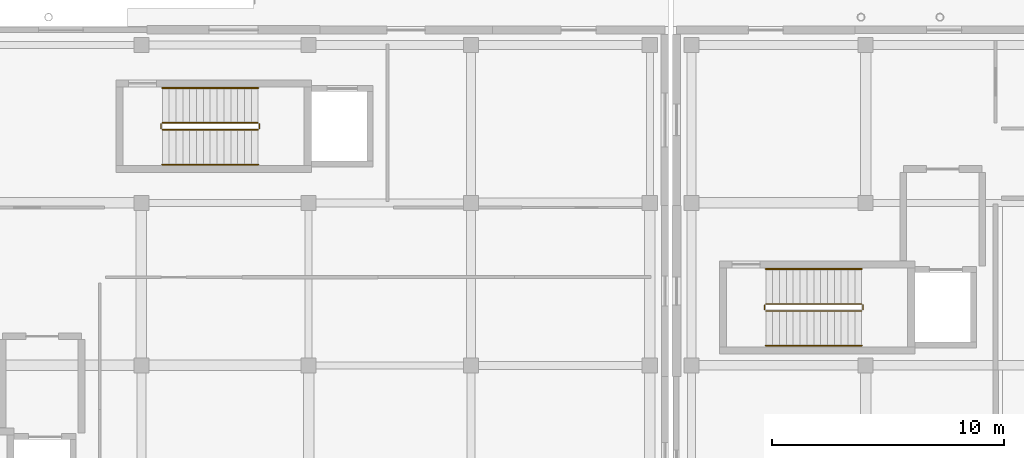
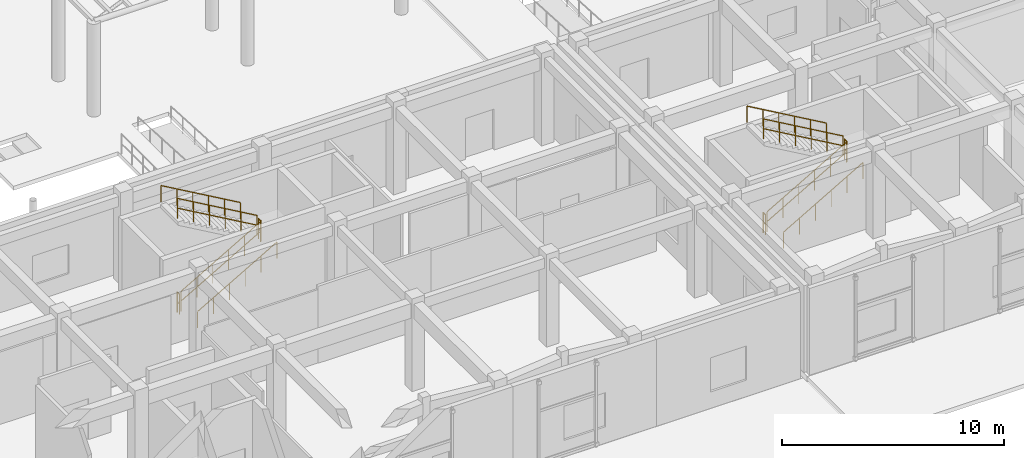
# One storey, part 112 of 121: 12 railings.
"""IFC4 building model written with IfcOpenShell, lengths in metres."""

import ifcopenshell
import ifcopenshell.guid

model = None  # the IFC model being written
_history = None  # IfcOwnerHistory: only IFC2X3 demands one
_inside = {}  # id of a spatial element -> (the spatial element, [elements in it])
_under = {}  # id of a project, library or spatial element -> (it, [spatial elements below it])
_declared = {}  # id of a project -> (the project, [libraries it declares])
_typed = {}  # id of a type object -> (the type object, [elements of that type])
_made_of = {}  # id of a material, layer set ... -> (it, [elements and type objects made of it])


def new_model(schema):
    """Start an empty IFC model of exactly this schema.

    Asked for "IFC4X3", IfcOpenShell would pick the latest addendum, in which some entities
    have other attributes; the version numbers below select the first issue.
    IFC2X3 requires an IfcOwnerHistory on every rooted entity: one is made here for all.
    """
    global model, _history
    if schema == "IFC4X3":
        model = ifcopenshell.file(schema_version=(4, 3, 0, 0))
    else:
        model = ifcopenshell.file(schema=schema)
    _inside.clear()
    _under.clear()
    _declared.clear()
    _typed.clear()
    _made_of.clear()
    _history = None
    if model.schema == "IFC2X3":
        org = make("IfcOrganization", Name="unknown")
        user = make(
            "IfcPersonAndOrganization",
            ThePerson=make("IfcPerson", FamilyName="unknown"),
            TheOrganization=org,
        )
        app = make(
            "IfcApplication",
            ApplicationDeveloper=org,
            Version="unknown",
            ApplicationFullName="unknown",
            ApplicationIdentifier="unknown",
        )
        _history = make(
            "IfcOwnerHistory",
            OwningUser=user,
            OwningApplication=app,
            ChangeAction="ADDED",
            CreationDate=0,
        )
    return model


def make(cls, **values):
    """One entity of the class cls with the attributes given. An attribute that is None is left unset."""
    return model.create_entity(
        cls, **{name: value for name, value in values.items() if value is not None}
    )


def rooted(cls, **values):
    """An entity with a GlobalId (a new one), such as an element, a storey or a relation."""
    return make(cls, GlobalId=ifcopenshell.guid.new(), OwnerHistory=_history, **values)


def si_unit(unit_type, name, prefix=None):
    """IfcSIUnit, for example si_unit("LENGTHUNIT", "METRE", prefix="MILLI")."""
    return make("IfcSIUnit", UnitType=unit_type, Prefix=prefix, Name=name)


def assignment(units):
    """IfcUnitAssignment: the units of a project."""
    return None if units is None else make("IfcUnitAssignment", Units=units)


def point(xyz):
    """IfcCartesianPoint."""
    return None if xyz is None else make("IfcCartesianPoint", Coordinates=xyz)


def direction(xyz):
    """IfcDirection."""
    return None if xyz is None else make("IfcDirection", DirectionRatios=xyz)


def frame(location, z_axis=None, x_axis=None):
    """IfcAxis2Placement3D, a coordinate frame: its origin and axes. An axis left out is left unset."""
    return make(
        "IfcAxis2Placement3D",
        Location=point(location),
        Axis=direction(z_axis),
        RefDirection=direction(x_axis),
    )


def frame_2d(location, x_axis=None):
    """IfcAxis2Placement2D, a coordinate frame in the plane: its origin and x axis."""
    return make(
        "IfcAxis2Placement2D", Location=point(location), RefDirection=direction(x_axis)
    )


def origin():
    """The frame at (0, 0, 0) with its axes left unset."""
    return frame((0.0, 0.0, 0.0))


def origin_2d():
    """The frame at (0, 0) in the plane with its x axis left unset."""
    return frame_2d((0.0, 0.0))


def place(relative_to, where):
    """IfcLocalPlacement: puts the frame where relative to a parent placement (None: the world)."""
    return make(
        "IfcLocalPlacement", PlacementRelTo=relative_to, RelativePlacement=where
    )


def context(
    kind, dimensions, precision=None, world=None, true_north=None, identifier=None
):
    """IfcGeometricRepresentationContext, for example the 3D "Model" context."""
    return make(
        "IfcGeometricRepresentationContext",
        ContextIdentifier=identifier,
        ContextType=kind,
        CoordinateSpaceDimension=dimensions,
        Precision=precision,
        WorldCoordinateSystem=world,
        TrueNorth=true_north,
    )


def subcontext(parent, identifier, kind, view, scale=None):
    """IfcGeometricRepresentationSubContext, for example "Body" below "Model"."""
    return make(
        "IfcGeometricRepresentationSubContext",
        ContextIdentifier=identifier,
        ContextType=kind,
        ParentContext=parent,
        TargetScale=scale,
        TargetView=view,
    )


def project(units=None, contexts=None):
    """IfcProject with its units and contexts."""
    return rooted(
        "IfcProject",
        Name="project",
        RepresentationContexts=contexts,
        UnitsInContext=assignment(units),
    )


def spatial(cls, under=None, at=None, **own):
    """A site, building, storey or space (cls), placed at a placement, below another one or the project."""
    s = rooted(cls, ObjectPlacement=at, **own)
    if under is not None:
        _under.setdefault(under.id(), (under, []))[1].append(s)
    return s


def profile(cls, at=None, kind="AREA", **sizes):
    """A parametric profile (cls). Its sizes go by their IFC names, for example OverallWidth=200.0."""
    return make(cls, ProfileType=kind, Position=at, **sizes)


def circle(**sizes):
    """IfcCircleProfileDef."""
    return profile("IfcCircleProfileDef", **sizes)


def extrude(swept, where, along, depth):
    """IfcExtrudedAreaSolid: the profile swept, set in the frame where, extruded along a direction by depth."""
    return make(
        "IfcExtrudedAreaSolid",
        SweptArea=swept,
        Position=where,
        ExtrudedDirection=direction(along),
        Depth=depth,
    )


def shape(context_of_items, identifier, shape_type, items):
    """IfcShapeRepresentation: the items that make up one representation, for example the "Body"."""
    return make(
        "IfcShapeRepresentation",
        ContextOfItems=context_of_items,
        RepresentationIdentifier=identifier,
        RepresentationType=shape_type,
        Items=items,
    )


def material(Name=None, Category=None):
    """IfcMaterial."""
    return make("IfcMaterial", Name=Name, Category=Category)


def made_of(thing, what):
    """Note that an element or type object is made of a material, layer set ...; save() writes the relation."""
    if what is not None:
        _made_of.setdefault(what.id(), (what, []))[1].append(thing)
    return thing


def type_object(cls, material=None, **own):
    """A type object (cls), such as IfcWallType, which elements share."""
    return made_of(rooted(cls, **own), material)


def element(
    cls,
    number,
    at=None,
    inside=None,
    cuts=None,
    type_object=None,
    material=None,
    context=None,
    identifier="Body",
    shape_type=None,
    held_by="IfcProductDefinitionShape",
    body=None,
    shapes=None,
    **own,
):
    """One element of the class cls, such as IfcWall. Its Tag is "e" and its number.

    at: its placement. inside: the storey or other place that contains it. cuts: it is an
    opening in that element (IfcRelVoidsElement). A single representation is given by context,
    identifier, shape_type and body (its items); several are given by shapes. held_by: the class
    of the entity that holds the representations. save() writes the other relations.
    """
    e = rooted(cls, Tag="e%d" % number, ObjectPlacement=at, **own)
    if body is not None:
        shapes = [shape(context, identifier, shape_type, body)]
    if shapes is not None:
        e.Representation = make(held_by, Representations=shapes)
    if inside is not None:
        _inside.setdefault(inside.id(), (inside, []))[1].append(e)
    if cuts is not None:
        rooted(
            "IfcRelVoidsElement", RelatingBuildingElement=cuts, RelatedOpeningElement=e
        )
    if type_object is not None:
        _typed.setdefault(type_object.id(), (type_object, []))[1].append(e)
    return made_of(e, material)


def aggregate(whole, parts):
    """IfcRelAggregates: a whole, such as a stair, and the parts it consists of."""
    return rooted("IfcRelAggregates", RelatingObject=whole, RelatedObjects=parts)


def save(model, path):
    """Write the relations noted so far, then the file.

    IfcRelAggregates (storeys below a building ...), IfcRelContainedInSpatialStructure (elements
    in a storey), IfcRelDefinesByType, IfcRelAssociatesMaterial and IfcRelDeclares: one each for
    every whole, place, type object, material and project.
    """
    for whole, parts in _under.values():
        aggregate(whole, parts)
    for where, things in _inside.values():
        rooted(
            "IfcRelContainedInSpatialStructure",
            RelatedElements=things,
            RelatingStructure=where,
        )
    for kind, things in _typed.values():
        rooted("IfcRelDefinesByType", RelatedObjects=things, RelatingType=kind)
    for what, things in _made_of.values():
        rooted("IfcRelAssociatesMaterial", RelatedObjects=things, RelatingMaterial=what)
    for by, libraries in _declared.values():
        rooted("IfcRelDeclares", RelatingContext=by, RelatedDefinitions=libraries)
    model.write(path)


model = new_model("IFC4")

# Units and contexts
model_context = context("Model", 3, precision=1e-05, world=origin(), true_north=direction((0.0, 1.0)))
body_context = subcontext(model_context, "Body", "Model", "MODEL_VIEW")
ifc_project = project(units=[si_unit("LENGTHUNIT", "METRE"), si_unit("AREAUNIT", "SQUARE_METRE"), si_unit("VOLUMEUNIT", "CUBIC_METRE"), si_unit("PLANEANGLEUNIT", "RADIAN"), si_unit("MASSUNIT", "GRAM", prefix="KILO")], contexts=[model_context])

# Site, building, storey
site_placement = place(None, origin())
site = spatial("IfcSite", under=ifc_project, at=site_placement, CompositionType="ELEMENT")
building_placement = place(site_placement, origin())
building = spatial("IfcBuilding", under=site, at=building_placement, Name="Valcora Specialist Clinic", CompositionType="ELEMENT")
storey_placement = place(building_placement, origin())
storey = spatial("IfcBuildingStorey", under=building, at=storey_placement, Name="L00", CompositionType="ELEMENT", Elevation=0.0)

# Railings
ifc_material = material(Name="Stainless Steel AISI 316", Category="steel")
railing_type_1 = type_object("IfcRailingType", Name="TY-RL-GRD112", PredefinedType="GUARDRAIL", material=ifc_material)
railing_1_placement = place(storey_placement, frame((31.5, 18.35009765625, 0.169921875)))
element("IfcRailing", 1, at=railing_1_placement, inside=storey, type_object=railing_type_1, Name="L00 ST-V5B stair guard 1", PredefinedType="GUARDRAIL", context=body_context, shape_type="SweptSolid", body=[
    extrude(circle(Radius=0.02392578125, at=origin_2d()), frame((0.0, 0.0, 1.09619140625), z_axis=(0.866412313535, 0.0, 0.499329253053), x_axis=(0.0, 1.0, 0.0)), (0.0, 0.0, 1.0), 4.7666015625),
    extrude(circle(Radius=0.02392578125, at=origin_2d()), frame((0.0, 0.0, 0.56005859375), z_axis=(0.866412313535, 0.0, 0.499329253053), x_axis=(0.0, 1.0, 0.0)), (0.0, 0.0, 1.0), 4.7666015625),
    extrude(circle(Radius=0.02099609375, at=origin_2d()), origin(), (0.0, 0.0, 1.0), 1.072021484375),
    extrude(circle(Radius=0.02099609375, at=origin_2d()), frame((0.825927734375, 0.0, 0.47607421875)), (0.0, 0.0, 1.0), 1.072021484375),
    extrude(circle(Radius=0.02099609375, at=origin_2d()), frame((1.65185546875, 0.0, 0.9521484375)), (0.0, 0.0, 1.0), 1.072021484375),
    extrude(circle(Radius=0.02099609375, at=origin_2d()), frame((2.47802734375, 0.0, 1.427978515625)), (0.0, 0.0, 1.0), 1.072021484375),
    extrude(circle(Radius=0.02099609375, at=origin_2d()), frame((3.303955078125, 0.0, 1.904052734375)), (0.0, 0.0, 1.0), 1.072021484375),
    extrude(circle(Radius=0.02099609375, at=origin_2d()), frame((4.1298828125, 0.0, 2.380126953125)), (0.0, 0.0, 1.0), 1.072021484375),
])
railing_2_placement = place(storey_placement, frame((35.679931640625, 18.39990234375, 2.550048828125)))
element("IfcRailing", 2, at=railing_2_placement, inside=storey, type_object=railing_type_1, Name="L00 ST-V5B stair guard 2", PredefinedType="GUARDRAIL", context=body_context, shape_type="SweptSolid", body=[
    extrude(circle(Radius=0.02392578125, at=origin_2d()), frame((0.0, 0.0, 1.09619140625), z_axis=(0.0, 1.0, 0.0), x_axis=(-1.0, 0.0, 0.0)), (0.0, 0.0, 1.0), 0.2001953125),
    extrude(circle(Radius=0.02392578125, at=origin_2d()), frame((0.0, 0.0, 0.56005859375), z_axis=(0.0, 1.0, 0.0), x_axis=(-1.0, 0.0, 0.0)), (0.0, 0.0, 1.0), 0.2001953125),
    extrude(circle(Radius=0.02099609375, at=origin_2d()), origin(), (0.0, 0.0, 1.0), 1.072021484375),
    extrude(circle(Radius=0.02099609375, at=origin_2d()), frame((0.0, 0.2001953125, 0.0)), (0.0, 0.0, 1.0), 1.072021484375),
])
railing_3_placement = place(storey_placement, frame((35.6298828125, 18.64990234375, 2.719970703125)))
element("IfcRailing", 3, at=railing_3_placement, inside=storey, type_object=railing_type_1, Name="L00 ST-V5B stair guard 3", PredefinedType="GUARDRAIL", context=body_context, shape_type="SweptSolid", body=[
    extrude(circle(Radius=0.02392578125, at=origin_2d()), frame((0.0, 0.0, 1.09619140625), z_axis=(-0.866412313535, 0.0, 0.499329253053), x_axis=(0.0, -1.0, 0.0)), (0.0, 0.0, 1.0), 4.7666015625),
    extrude(circle(Radius=0.02392578125, at=origin_2d()), frame((0.0, 0.0, 0.56005859375), z_axis=(-0.866412313535, 0.0, 0.499329253053), x_axis=(0.0, -1.0, 0.0)), (0.0, 0.0, 1.0), 4.7666015625),
    extrude(circle(Radius=0.02099609375, at=origin_2d()), origin(), (0.0, 0.0, 1.0), 1.072021484375),
    extrude(circle(Radius=0.02099609375, at=origin_2d()), frame((-0.825927734375, 0.0, 0.47607421875)), (0.0, 0.0, 1.0), 1.072021484375),
    extrude(circle(Radius=0.02099609375, at=origin_2d()), frame((-1.65185546875, 0.0, 0.9521484375)), (0.0, 0.0, 1.0), 1.072021484375),
    extrude(circle(Radius=0.02099609375, at=origin_2d()), frame((-2.47802734375, 0.0, 1.427978515625)), (0.0, 0.0, 1.0), 1.072021484375),
    extrude(circle(Radius=0.02099609375, at=origin_2d()), frame((-3.303955078125, 0.0, 1.904052734375)), (0.0, 0.0, 1.0), 1.072021484375),
    extrude(circle(Radius=0.02099609375, at=origin_2d()), frame((-4.1298828125, 0.0, 2.380126953125)), (0.0, 0.0, 1.0), 1.072021484375),
])
railing_4_placement = place(storey_placement, frame((31.449951171875, 18.39990234375, 0.0)))
element("IfcRailing", 4, at=railing_4_placement, inside=storey, type_object=railing_type_1, Name="L00 ST-V5B stair guard 4", PredefinedType="GUARDRAIL", context=body_context, shape_type="SweptSolid", body=[
    extrude(circle(Radius=0.02392578125, at=origin_2d()), frame((0.0, 0.0, 1.09619140625), z_axis=(0.0, 1.0, 0.0), x_axis=(-1.0, 0.0, 0.0)), (0.0, 0.0, 1.0), 0.2001953125),
    extrude(circle(Radius=0.02392578125, at=origin_2d()), frame((0.0, 0.0, 0.56005859375), z_axis=(0.0, 1.0, 0.0), x_axis=(-1.0, 0.0, 0.0)), (0.0, 0.0, 1.0), 0.2001953125),
    extrude(circle(Radius=0.02099609375, at=origin_2d()), origin(), (0.0, 0.0, 1.0), 1.072021484375),
    extrude(circle(Radius=0.02099609375, at=origin_2d()), frame((0.0, 0.2001953125, 0.0)), (0.0, 0.0, 1.0), 1.072021484375),
])
railing_5_placement = place(storey_placement, frame((57.5, 10.550048828125, 0.169921875)))
element("IfcRailing", 5, at=railing_5_placement, inside=storey, type_object=railing_type_1, Name="L00 ST-V6A stair guard 1", PredefinedType="GUARDRAIL", context=body_context, shape_type="SweptSolid", body=[
    extrude(circle(Radius=0.02392578125, at=origin_2d()), frame((0.0, 0.0, 1.09619140625), z_axis=(0.866412313535, 0.0, 0.499329253053), x_axis=(0.0, 1.0, 0.0)), (0.0, 0.0, 1.0), 4.7666015625),
    extrude(circle(Radius=0.02392578125, at=origin_2d()), frame((0.0, 0.0, 0.56005859375), z_axis=(0.866412313535, 0.0, 0.499329253053), x_axis=(0.0, 1.0, 0.0)), (0.0, 0.0, 1.0), 4.7666015625),
    extrude(circle(Radius=0.02099609375, at=origin_2d()), origin(), (0.0, 0.0, 1.0), 1.072021484375),
    extrude(circle(Radius=0.02099609375, at=origin_2d()), frame((0.825927734375, 0.0, 0.47607421875)), (0.0, 0.0, 1.0), 1.072021484375),
    extrude(circle(Radius=0.02099609375, at=origin_2d()), frame((1.65185546875, 0.0, 0.9521484375)), (0.0, 0.0, 1.0), 1.072021484375),
    extrude(circle(Radius=0.02099609375, at=origin_2d()), frame((2.47802734375, 0.0, 1.427978515625)), (0.0, 0.0, 1.0), 1.072021484375),
    extrude(circle(Radius=0.02099609375, at=origin_2d()), frame((3.303955078125, 0.0, 1.904052734375)), (0.0, 0.0, 1.0), 1.072021484375),
    extrude(circle(Radius=0.02099609375, at=origin_2d()), frame((4.1298828125, 0.0, 2.380126953125)), (0.0, 0.0, 1.0), 1.072021484375),
])
railing_6_placement = place(storey_placement, frame((61.679931640625, 10.60009765625, 2.550048828125)))
element("IfcRailing", 6, at=railing_6_placement, inside=storey, type_object=railing_type_1, Name="L00 ST-V6A stair guard 2", PredefinedType="GUARDRAIL", context=body_context, shape_type="SweptSolid", body=[
    extrude(circle(Radius=0.02392578125, at=origin_2d()), frame((0.0, 0.0, 1.09619140625), z_axis=(0.0, 1.0, 0.0), x_axis=(-1.0, 0.0, 0.0)), (0.0, 0.0, 1.0), 0.199951171875),
    extrude(circle(Radius=0.02392578125, at=origin_2d()), frame((0.0, 0.0, 0.56005859375), z_axis=(0.0, 1.0, 0.0), x_axis=(-1.0, 0.0, 0.0)), (0.0, 0.0, 1.0), 0.199951171875),
    extrude(circle(Radius=0.02099609375, at=origin_2d()), origin(), (0.0, 0.0, 1.0), 1.072021484375),
    extrude(circle(Radius=0.02099609375, at=origin_2d()), frame((0.0, 0.199951171875, 0.0)), (0.0, 0.0, 1.0), 1.072021484375),
])
railing_7_placement = place(storey_placement, frame((61.6298828125, 10.85009765625, 2.719970703125)))
element("IfcRailing", 7, at=railing_7_placement, inside=storey, type_object=railing_type_1, Name="L00 ST-V6A stair guard 3", PredefinedType="GUARDRAIL", context=body_context, shape_type="SweptSolid", body=[
    extrude(circle(Radius=0.02392578125, at=origin_2d()), frame((0.0, 0.0, 1.09619140625), z_axis=(-0.866412313535, 0.0, 0.499329253053), x_axis=(0.0, -1.0, 0.0)), (0.0, 0.0, 1.0), 4.7666015625),
    extrude(circle(Radius=0.02392578125, at=origin_2d()), frame((0.0, 0.0, 0.56005859375), z_axis=(-0.866412313535, 0.0, 0.499329253053), x_axis=(0.0, -1.0, 0.0)), (0.0, 0.0, 1.0), 4.7666015625),
    extrude(circle(Radius=0.02099609375, at=origin_2d()), origin(), (0.0, 0.0, 1.0), 1.072021484375),
    extrude(circle(Radius=0.02099609375, at=origin_2d()), frame((-0.825927734375, 0.0, 0.47607421875)), (0.0, 0.0, 1.0), 1.072021484375),
    extrude(circle(Radius=0.02099609375, at=origin_2d()), frame((-1.65185546875, 0.0, 0.9521484375)), (0.0, 0.0, 1.0), 1.072021484375),
    extrude(circle(Radius=0.02099609375, at=origin_2d()), frame((-2.47802734375, 0.0, 1.427978515625)), (0.0, 0.0, 1.0), 1.072021484375),
    extrude(circle(Radius=0.02099609375, at=origin_2d()), frame((-3.303955078125, 0.0, 1.904052734375)), (0.0, 0.0, 1.0), 1.072021484375),
    extrude(circle(Radius=0.02099609375, at=origin_2d()), frame((-4.1298828125, 0.0, 2.380126953125)), (0.0, 0.0, 1.0), 1.072021484375),
])
railing_8_placement = place(storey_placement, frame((57.449951171875, 10.60009765625, 0.0)))
element("IfcRailing", 8, at=railing_8_placement, inside=storey, type_object=railing_type_1, Name="L00 ST-V6A stair guard 4", PredefinedType="GUARDRAIL", context=body_context, shape_type="SweptSolid", body=[
    extrude(circle(Radius=0.02392578125, at=origin_2d()), frame((0.0, 0.0, 1.09619140625), z_axis=(0.0, 1.0, 0.0), x_axis=(-1.0, 0.0, 0.0)), (0.0, 0.0, 1.0), 0.199951171875),
    extrude(circle(Radius=0.02392578125, at=origin_2d()), frame((0.0, 0.0, 0.56005859375), z_axis=(0.0, 1.0, 0.0), x_axis=(-1.0, 0.0, 0.0)), (0.0, 0.0, 1.0), 0.199951171875),
    extrude(circle(Radius=0.02099609375, at=origin_2d()), origin(), (0.0, 0.0, 1.0), 1.072021484375),
    extrude(circle(Radius=0.02099609375, at=origin_2d()), frame((0.0, 0.199951171875, 0.0)), (0.0, 0.0, 1.0), 1.072021484375),
])
railing_type_2 = type_object("IfcRailingType", Name="TY-RL-HND092", PredefinedType="HANDRAIL", material=ifc_material)
railing_9_placement = place(storey_placement, frame((31.5, 16.85009765625, 0.169921875)))
element("IfcRailing", 9, at=railing_9_placement, inside=storey, type_object=railing_type_2, Name="L00 ST-V5B stair handrail 1", PredefinedType="HANDRAIL", context=body_context, shape_type="SweptSolid", body=[
    extrude(circle(Radius=0.02392578125, at=origin_2d()), frame((0.0, 0.0, 0.89599609375), z_axis=(0.866412313535, 0.0, 0.499329253053), x_axis=(0.0, 1.0, 0.0)), (0.0, 0.0, 1.0), 4.7666015625),
    extrude(circle(Radius=0.02099609375, at=origin_2d()), origin(), (0.0, 0.0, 1.0), 0.871826171875),
    extrude(circle(Radius=0.02099609375, at=origin_2d()), frame((0.825927734375, 0.0, 0.47607421875)), (0.0, 0.0, 1.0), 0.871826171875),
    extrude(circle(Radius=0.02099609375, at=origin_2d()), frame((1.65185546875, 0.0, 0.9521484375)), (0.0, 0.0, 1.0), 0.871826171875),
    extrude(circle(Radius=0.02099609375, at=origin_2d()), frame((2.47802734375, 0.0, 1.427978515625)), (0.0, 0.0, 1.0), 0.871826171875),
    extrude(circle(Radius=0.02099609375, at=origin_2d()), frame((3.303955078125, 0.0, 1.904052734375)), (0.0, 0.0, 1.0), 0.871826171875),
    extrude(circle(Radius=0.02099609375, at=origin_2d()), frame((4.1298828125, 0.0, 2.380126953125)), (0.0, 0.0, 1.0), 0.871826171875),
])
railing_10_placement = place(storey_placement, frame((35.6298828125, 20.14990234375, 2.719970703125)))
element("IfcRailing", 10, at=railing_10_placement, inside=storey, type_object=railing_type_2, Name="L00 ST-V5B stair handrail 2", PredefinedType="HANDRAIL", context=body_context, shape_type="SweptSolid", body=[
    extrude(circle(Radius=0.02392578125, at=origin_2d()), frame((0.0, 0.0, 0.89599609375), z_axis=(-0.866412313535, 0.0, 0.499329253053), x_axis=(0.0, -1.0, 0.0)), (0.0, 0.0, 1.0), 4.7666015625),
    extrude(circle(Radius=0.02099609375, at=origin_2d()), origin(), (0.0, 0.0, 1.0), 0.871826171875),
    extrude(circle(Radius=0.02099609375, at=origin_2d()), frame((-0.825927734375, 0.0, 0.47607421875)), (0.0, 0.0, 1.0), 0.871826171875),
    extrude(circle(Radius=0.02099609375, at=origin_2d()), frame((-1.65185546875, 0.0, 0.9521484375)), (0.0, 0.0, 1.0), 0.871826171875),
    extrude(circle(Radius=0.02099609375, at=origin_2d()), frame((-2.47802734375, 0.0, 1.427978515625)), (0.0, 0.0, 1.0), 0.871826171875),
    extrude(circle(Radius=0.02099609375, at=origin_2d()), frame((-3.303955078125, 0.0, 1.904052734375)), (0.0, 0.0, 1.0), 0.871826171875),
    extrude(circle(Radius=0.02099609375, at=origin_2d()), frame((-4.1298828125, 0.0, 2.380126953125)), (0.0, 0.0, 1.0), 0.871826171875),
])
railing_11_placement = place(storey_placement, frame((57.5, 9.050048828125, 0.169921875)))
element("IfcRailing", 11, at=railing_11_placement, inside=storey, type_object=railing_type_2, Name="L00 ST-V6A stair handrail 1", PredefinedType="HANDRAIL", context=body_context, shape_type="SweptSolid", body=[
    extrude(circle(Radius=0.02392578125, at=origin_2d()), frame((0.0, 0.0, 0.89599609375), z_axis=(0.866412313535, 0.0, 0.499329253053), x_axis=(0.0, 1.0, 0.0)), (0.0, 0.0, 1.0), 4.7666015625),
    extrude(circle(Radius=0.02099609375, at=origin_2d()), origin(), (0.0, 0.0, 1.0), 0.871826171875),
    extrude(circle(Radius=0.02099609375, at=origin_2d()), frame((0.825927734375, 0.0, 0.47607421875)), (0.0, 0.0, 1.0), 0.871826171875),
    extrude(circle(Radius=0.02099609375, at=origin_2d()), frame((1.65185546875, 0.0, 0.9521484375)), (0.0, 0.0, 1.0), 0.871826171875),
    extrude(circle(Radius=0.02099609375, at=origin_2d()), frame((2.47802734375, 0.0, 1.427978515625)), (0.0, 0.0, 1.0), 0.871826171875),
    extrude(circle(Radius=0.02099609375, at=origin_2d()), frame((3.303955078125, 0.0, 1.904052734375)), (0.0, 0.0, 1.0), 0.871826171875),
    extrude(circle(Radius=0.02099609375, at=origin_2d()), frame((4.1298828125, 0.0, 2.380126953125)), (0.0, 0.0, 1.0), 0.871826171875),
])
railing_12_placement = place(storey_placement, frame((61.6298828125, 12.35009765625, 2.719970703125)))
element("IfcRailing", 12, at=railing_12_placement, inside=storey, type_object=railing_type_2, Name="L00 ST-V6A stair handrail 2", PredefinedType="HANDRAIL", context=body_context, shape_type="SweptSolid", body=[
    extrude(circle(Radius=0.02392578125, at=origin_2d()), frame((0.0, 0.0, 0.89599609375), z_axis=(-0.866412313535, 0.0, 0.499329253053), x_axis=(0.0, -1.0, 0.0)), (0.0, 0.0, 1.0), 4.7666015625),
    extrude(circle(Radius=0.02099609375, at=origin_2d()), origin(), (0.0, 0.0, 1.0), 0.871826171875),
    extrude(circle(Radius=0.02099609375, at=origin_2d()), frame((-0.825927734375, 0.0, 0.47607421875)), (0.0, 0.0, 1.0), 0.871826171875),
    extrude(circle(Radius=0.02099609375, at=origin_2d()), frame((-1.65185546875, 0.0, 0.9521484375)), (0.0, 0.0, 1.0), 0.871826171875),
    extrude(circle(Radius=0.02099609375, at=origin_2d()), frame((-2.47802734375, 0.0, 1.427978515625)), (0.0, 0.0, 1.0), 0.871826171875),
    extrude(circle(Radius=0.02099609375, at=origin_2d()), frame((-3.303955078125, 0.0, 1.904052734375)), (0.0, 0.0, 1.0), 0.871826171875),
    extrude(circle(Radius=0.02099609375, at=origin_2d()), frame((-4.1298828125, 0.0, 2.380126953125)), (0.0, 0.0, 1.0), 0.871826171875),
])

save(model, "model.ifc")
